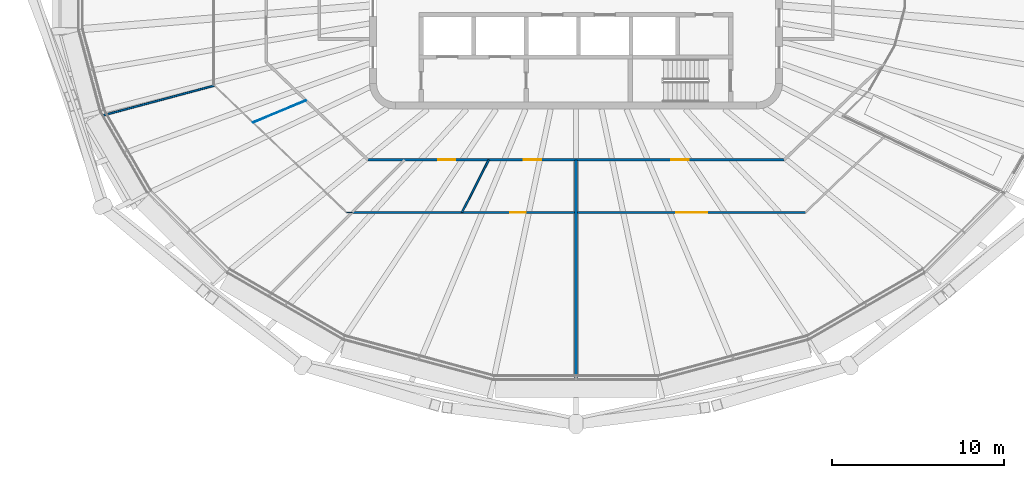
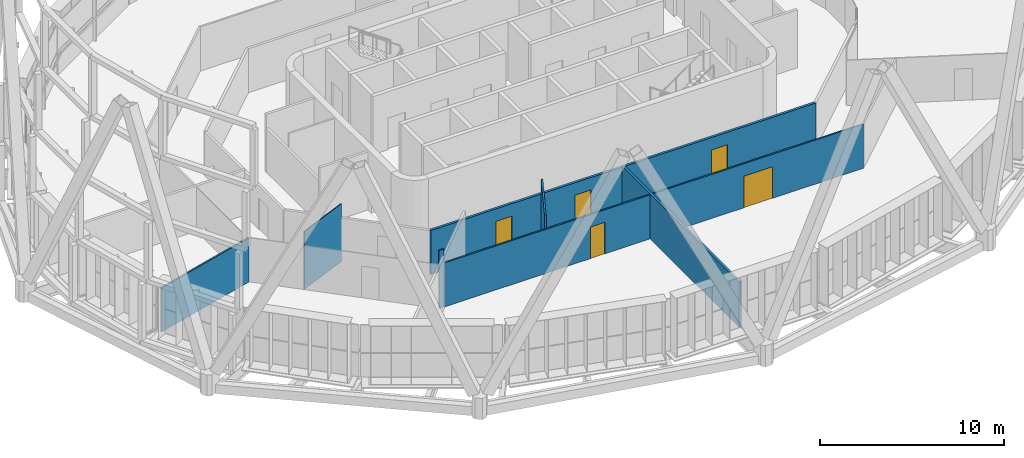
# One storey, part 11 of 22: 7 walls, 5 doors, 5 openings.
"""IFC4 building model written with IfcOpenShell, lengths in metres."""

import ifcopenshell
import ifcopenshell.guid

model = None  # the IFC model being written
_history = None  # IfcOwnerHistory: only IFC2X3 demands one
_inside = {}  # id of a spatial element -> (the spatial element, [elements in it])
_under = {}  # id of a project, library or spatial element -> (it, [spatial elements below it])
_declared = {}  # id of a project -> (the project, [libraries it declares])
_typed = {}  # id of a type object -> (the type object, [elements of that type])
_made_of = {}  # id of a material, layer set ... -> (it, [elements and type objects made of it])


def new_model(schema):
    """Start an empty IFC model of exactly this schema.

    Asked for "IFC4X3", IfcOpenShell would pick the latest addendum, in which some entities
    have other attributes; the version numbers below select the first issue.
    IFC2X3 requires an IfcOwnerHistory on every rooted entity: one is made here for all.
    """
    global model, _history
    if schema == "IFC4X3":
        model = ifcopenshell.file(schema_version=(4, 3, 0, 0))
    else:
        model = ifcopenshell.file(schema=schema)
    _inside.clear()
    _under.clear()
    _declared.clear()
    _typed.clear()
    _made_of.clear()
    _history = None
    if model.schema == "IFC2X3":
        org = make("IfcOrganization", Name="unknown")
        user = make(
            "IfcPersonAndOrganization",
            ThePerson=make("IfcPerson", FamilyName="unknown"),
            TheOrganization=org,
        )
        app = make(
            "IfcApplication",
            ApplicationDeveloper=org,
            Version="unknown",
            ApplicationFullName="unknown",
            ApplicationIdentifier="unknown",
        )
        _history = make(
            "IfcOwnerHistory",
            OwningUser=user,
            OwningApplication=app,
            ChangeAction="ADDED",
            CreationDate=0,
        )
    return model


def make(cls, **values):
    """One entity of the class cls with the attributes given. An attribute that is None is left unset."""
    return model.create_entity(
        cls, **{name: value for name, value in values.items() if value is not None}
    )


def rooted(cls, **values):
    """An entity with a GlobalId (a new one), such as an element, a storey or a relation."""
    return make(cls, GlobalId=ifcopenshell.guid.new(), OwnerHistory=_history, **values)


def si_unit(unit_type, name, prefix=None):
    """IfcSIUnit, for example si_unit("LENGTHUNIT", "METRE", prefix="MILLI")."""
    return make("IfcSIUnit", UnitType=unit_type, Prefix=prefix, Name=name)


def assignment(units):
    """IfcUnitAssignment: the units of a project."""
    return None if units is None else make("IfcUnitAssignment", Units=units)


def point(xyz):
    """IfcCartesianPoint."""
    return None if xyz is None else make("IfcCartesianPoint", Coordinates=xyz)


def direction(xyz):
    """IfcDirection."""
    return None if xyz is None else make("IfcDirection", DirectionRatios=xyz)


def frame(location, z_axis=None, x_axis=None):
    """IfcAxis2Placement3D, a coordinate frame: its origin and axes. An axis left out is left unset."""
    return make(
        "IfcAxis2Placement3D",
        Location=point(location),
        Axis=direction(z_axis),
        RefDirection=direction(x_axis),
    )


def frame_2d(location, x_axis=None):
    """IfcAxis2Placement2D, a coordinate frame in the plane: its origin and x axis."""
    return make(
        "IfcAxis2Placement2D", Location=point(location), RefDirection=direction(x_axis)
    )


def origin():
    """The frame at (0, 0, 0) with its axes left unset."""
    return frame((0.0, 0.0, 0.0))


def place(relative_to, where):
    """IfcLocalPlacement: puts the frame where relative to a parent placement (None: the world)."""
    return make(
        "IfcLocalPlacement", PlacementRelTo=relative_to, RelativePlacement=where
    )


def context(
    kind, dimensions, precision=None, world=None, true_north=None, identifier=None
):
    """IfcGeometricRepresentationContext, for example the 3D "Model" context."""
    return make(
        "IfcGeometricRepresentationContext",
        ContextIdentifier=identifier,
        ContextType=kind,
        CoordinateSpaceDimension=dimensions,
        Precision=precision,
        WorldCoordinateSystem=world,
        TrueNorth=true_north,
    )


def subcontext(parent, identifier, kind, view, scale=None):
    """IfcGeometricRepresentationSubContext, for example "Body" below "Model"."""
    return make(
        "IfcGeometricRepresentationSubContext",
        ContextIdentifier=identifier,
        ContextType=kind,
        ParentContext=parent,
        TargetScale=scale,
        TargetView=view,
    )


def project(units=None, contexts=None):
    """IfcProject with its units and contexts."""
    return rooted(
        "IfcProject",
        Name="project",
        RepresentationContexts=contexts,
        UnitsInContext=assignment(units),
    )


def spatial(cls, under=None, at=None, **own):
    """A site, building, storey or space (cls), placed at a placement, below another one or the project."""
    s = rooted(cls, ObjectPlacement=at, **own)
    if under is not None:
        _under.setdefault(under.id(), (under, []))[1].append(s)
    return s


def profile(cls, at=None, kind="AREA", **sizes):
    """A parametric profile (cls). Its sizes go by their IFC names, for example OverallWidth=200.0."""
    return make(cls, ProfileType=kind, Position=at, **sizes)


def rectangle(**sizes):
    """IfcRectangleProfileDef."""
    return profile("IfcRectangleProfileDef", **sizes)


def extrude(swept, where, along, depth):
    """IfcExtrudedAreaSolid: the profile swept, set in the frame where, extruded along a direction by depth."""
    return make(
        "IfcExtrudedAreaSolid",
        SweptArea=swept,
        Position=where,
        ExtrudedDirection=direction(along),
        Depth=depth,
    )


def shape(context_of_items, identifier, shape_type, items):
    """IfcShapeRepresentation: the items that make up one representation, for example the "Body"."""
    return make(
        "IfcShapeRepresentation",
        ContextOfItems=context_of_items,
        RepresentationIdentifier=identifier,
        RepresentationType=shape_type,
        Items=items,
    )


def material(Name=None, Category=None):
    """IfcMaterial."""
    return make("IfcMaterial", Name=Name, Category=Category)


def layer(
    of_material, thickness, ventilated=None, Name=None, Category=None, Priority=None
):
    """IfcMaterialLayer: one layer of a wall or slab, of a material (None: an air gap)."""
    return make(
        "IfcMaterialLayer",
        Material=of_material,
        LayerThickness=thickness,
        IsVentilated=ventilated,
        Name=Name,
        Category=Category,
        Priority=Priority,
    )


def layer_set(layers, Name=None):
    """IfcMaterialLayerSet."""
    return make("IfcMaterialLayerSet", MaterialLayers=layers, LayerSetName=Name)


def made_of(thing, what):
    """Note that an element or type object is made of a material, layer set ...; save() writes the relation."""
    if what is not None:
        _made_of.setdefault(what.id(), (what, []))[1].append(thing)
    return thing


def type_object(cls, material=None, **own):
    """A type object (cls), such as IfcWallType, which elements share."""
    return made_of(rooted(cls, **own), material)


def element(
    cls,
    number,
    at=None,
    inside=None,
    cuts=None,
    type_object=None,
    material=None,
    context=None,
    identifier="Body",
    shape_type=None,
    held_by="IfcProductDefinitionShape",
    body=None,
    shapes=None,
    **own,
):
    """One element of the class cls, such as IfcWall. Its Tag is "e" and its number.

    at: its placement. inside: the storey or other place that contains it. cuts: it is an
    opening in that element (IfcRelVoidsElement). A single representation is given by context,
    identifier, shape_type and body (its items); several are given by shapes. held_by: the class
    of the entity that holds the representations. save() writes the other relations.
    """
    e = rooted(cls, Tag="e%d" % number, ObjectPlacement=at, **own)
    if body is not None:
        shapes = [shape(context, identifier, shape_type, body)]
    if shapes is not None:
        e.Representation = make(held_by, Representations=shapes)
    if inside is not None:
        _inside.setdefault(inside.id(), (inside, []))[1].append(e)
    if cuts is not None:
        rooted(
            "IfcRelVoidsElement", RelatingBuildingElement=cuts, RelatedOpeningElement=e
        )
    if type_object is not None:
        _typed.setdefault(type_object.id(), (type_object, []))[1].append(e)
    return made_of(e, material)


def fill(opening, filler):
    """IfcRelFillsElement: the door or window that sits in an opening."""
    return rooted(
        "IfcRelFillsElement",
        RelatingOpeningElement=opening,
        RelatedBuildingElement=filler,
    )


def aggregate(whole, parts):
    """IfcRelAggregates: a whole, such as a stair, and the parts it consists of."""
    return rooted("IfcRelAggregates", RelatingObject=whole, RelatedObjects=parts)


def save(model, path):
    """Write the relations noted so far, then the file.

    IfcRelAggregates (storeys below a building ...), IfcRelContainedInSpatialStructure (elements
    in a storey), IfcRelDefinesByType, IfcRelAssociatesMaterial and IfcRelDeclares: one each for
    every whole, place, type object, material and project.
    """
    for whole, parts in _under.values():
        aggregate(whole, parts)
    for where, things in _inside.values():
        rooted(
            "IfcRelContainedInSpatialStructure",
            RelatedElements=things,
            RelatingStructure=where,
        )
    for kind, things in _typed.values():
        rooted("IfcRelDefinesByType", RelatedObjects=things, RelatingType=kind)
    for what, things in _made_of.values():
        rooted("IfcRelAssociatesMaterial", RelatedObjects=things, RelatingMaterial=what)
    for by, libraries in _declared.values():
        rooted("IfcRelDeclares", RelatingContext=by, RelatedDefinitions=libraries)
    model.write(path)


model = new_model("IFC4")

# Units and contexts
model_context = context("Model", 3, precision=1e-05, world=origin(), true_north=direction((0.0, 1.0)))
body_context = subcontext(model_context, "Body", "Model", "MODEL_VIEW")
ifc_project = project(units=[si_unit("LENGTHUNIT", "METRE"), si_unit("AREAUNIT", "SQUARE_METRE"), si_unit("VOLUMEUNIT", "CUBIC_METRE"), si_unit("PLANEANGLEUNIT", "RADIAN"), si_unit("MASSUNIT", "GRAM", prefix="KILO")], contexts=[model_context])

# Site, building, storey
site_placement = place(None, origin())
site = spatial("IfcSite", under=ifc_project, at=site_placement, CompositionType="ELEMENT")
building_placement = place(site_placement, origin())
building = spatial("IfcBuilding", under=site, at=building_placement, Name="Sahrelin Media Tower", CompositionType="ELEMENT")
storey_placement = place(building_placement, frame((0.0, 0.0, 283.0)))
storey = spatial("IfcBuildingStorey", under=building, at=storey_placement, Name="L62", CompositionType="ELEMENT", Elevation=283.0)

# Wall, openings, doors
ifc_material_1 = material(Name="Fire-rated gypsum board partition")
ifc_layer_1 = layer(ifc_material_1, 0.14990234375)
ifc_layer_set_1 = layer_set([ifc_layer_1], Name="Fire-rated partition 150")
wall_type_1 = type_object("IfcWallType", Name="Fire-rated partition 150", PredefinedType="PARTITIONING", material=ifc_layer_set_1)
wall_1_placement = place(storey_placement, frame((-12.094970703125, -9.948974609375, 0.0), z_axis=(0.0, 0.0, 1.0), x_axis=(1.0, 0.0, 0.0)))
wall_1 = element("IfcWall", 1, at=wall_1_placement, inside=storey, type_object=wall_type_1, Name="Wall", PredefinedType="PARTITIONING", context=body_context, shape_type="SweptSolid", body=[
    extrude(rectangle(XDim=24.18994140625, YDim=0.14990234375, at=frame_2d((12.094970703125, 0.0))), origin(), (0.0, 0.0, 1.0), 2.927001953125),
])
opening_1_placement = place(wall_1_placement, frame((17.642578125, 0.0, 0.0)))
opening_1 = element("IfcOpeningElement", 2, at=opening_1_placement, cuts=wall_1, Name="Opening L62-D16", PredefinedType="OPENING", context=body_context, shape_type="SweptSolid", body=[
    extrude(rectangle(XDim=1.0, YDim=2.10009765625, at=frame_2d((0.5, 1.050048828125))), frame((0.0, 0.074951171875, 0.0), z_axis=(0.0, -1.0, 0.0), x_axis=(1.0, 0.0, 0.0)), (0.0, 0.0, 1.0), 0.14990234375),
])
opening_2_placement = place(wall_1_placement, frame((4.0859375, 0.0, 0.0)))
opening_2 = element("IfcOpeningElement", 3, at=opening_2_placement, cuts=wall_1, Name="Opening L62-D30", PredefinedType="OPENING", context=body_context, shape_type="SweptSolid", body=[
    extrude(rectangle(XDim=1.0, YDim=2.10009765625, at=frame_2d((0.5, 1.050048828125))), frame((0.0, 0.074951171875, 0.0), z_axis=(0.0, -1.0, 0.0), x_axis=(1.0, 0.0, 0.0)), (0.0, 0.0, 1.0), 0.14990234375),
])
opening_3_placement = place(wall_1_placement, frame((9.060546875, 0.0, 0.0)))
opening_3 = element("IfcOpeningElement", 4, at=opening_3_placement, cuts=wall_1, Name="Opening L62-D31", PredefinedType="OPENING", context=body_context, shape_type="SweptSolid", body=[
    extrude(rectangle(XDim=1.0, YDim=2.10009765625, at=frame_2d((0.5, 1.050048828125))), frame((0.0, 0.074951171875, 0.0), z_axis=(0.0, -1.0, 0.0), x_axis=(1.0, 0.0, 0.0)), (0.0, 0.0, 1.0), 0.14990234375),
])
ifc_material_2 = material(Name="Steel fire door leaf", Category="steel")
door_type_1 = type_object("IfcDoorType", Name="Fire door 1000 x 2100 EI 60", OperationType="NOTDEFINED", PredefinedType="DOOR", material=ifc_material_2)
door_1_placement = place(opening_1_placement, origin())
door_1 = element("IfcDoor", 5, at=door_1_placement, inside=storey, type_object=door_type_1, Name="Fire door", OperationType="SINGLE_SWING_RIGHT", OverallHeight=2.10009765625, OverallWidth=1.0, PredefinedType="DOOR", context=body_context, shape_type="SweptSolid", body=[
    extrude(rectangle(XDim=1.0, YDim=2.10009765625, at=frame_2d((0.5, 1.050048828125))), frame((0.0, 0.02490234375, 0.0), z_axis=(0.0, -1.0, 0.0), x_axis=(1.0, 0.0, 0.0)), (0.0, 0.0, 1.0), 0.050048828125),
])
fill(opening_1, door_1)
door_2_placement = place(opening_2_placement, origin())
door_2 = element("IfcDoor", 6, at=door_2_placement, inside=storey, type_object=door_type_1, Name="Fire door", OperationType="SINGLE_SWING_RIGHT", OverallHeight=2.10009765625, OverallWidth=1.0, PredefinedType="DOOR", context=body_context, shape_type="SweptSolid", body=[
    extrude(rectangle(XDim=1.0, YDim=2.10009765625, at=frame_2d((0.5, 1.050048828125))), frame((0.0, 0.02490234375, 0.0), z_axis=(0.0, -1.0, 0.0), x_axis=(1.0, 0.0, 0.0)), (0.0, 0.0, 1.0), 0.050048828125),
])
fill(opening_2, door_2)
door_3_placement = place(opening_3_placement, origin())
door_3 = element("IfcDoor", 7, at=door_3_placement, inside=storey, type_object=door_type_1, Name="Fire door", OperationType="SINGLE_SWING_RIGHT", OverallHeight=2.10009765625, OverallWidth=1.0, PredefinedType="DOOR", context=body_context, shape_type="SweptSolid", body=[
    extrude(rectangle(XDim=1.0, YDim=2.10009765625, at=frame_2d((0.5, 1.050048828125))), frame((0.0, 0.02490234375, 0.0), z_axis=(0.0, -1.0, 0.0), x_axis=(1.0, 0.0, 0.0)), (0.0, 0.0, 1.0), 0.050048828125),
])
fill(opening_3, door_3)

# Walls
wall_2_placement = place(storey_placement, frame((0.0, -22.738037109375, 0.0), z_axis=(0.0, 0.0, 1.0), x_axis=(0.0, 1.0, 0.0)))
element("IfcWall", 8, at=wall_2_placement, inside=storey, type_object=wall_type_1, Name="Wall", PredefinedType="PARTITIONING", context=body_context, shape_type="SweptSolid", body=[
    extrude(rectangle(XDim=12.7890625, YDim=0.14990234375, at=frame_2d((6.39453125, 0.0))), origin(), (0.0, 0.0, 1.0), 2.9951171875),
])
ifc_material_3 = material(Name="Clear glass", Category="glass")
ifc_layer_2 = layer(ifc_material_3, 0.050048828125)
ifc_layer_set_2 = layer_set([ifc_layer_2], Name="Glazed partition 50")
wall_type_2 = type_object("IfcWallType", Name="Glazed partition 50", PredefinedType="PARTITIONING", material=ifc_layer_set_2)
wall_3_placement = place(storey_placement, frame((-13.325927734375, -13.009033203125, 0.0), z_axis=(0.0, 0.0, 1.0), x_axis=(1.0, 0.0, 0.0)))
element("IfcWall", 9, at=wall_3_placement, inside=storey, type_object=wall_type_2, Name="Wall", PredefinedType="PARTITIONING", context=body_context, shape_type="SweptSolid", body=[
    extrude(rectangle(XDim=0.31689453125, YDim=0.050048828125, at=frame_2d((0.158447265625, 0.0))), origin(), (0.0, 0.0, 1.0), 3.85009765625),
])
wall_4_placement = place(storey_placement, frame((-18.77392578125, -7.777099609375, 0.0), z_axis=(0.0, 0.0, 1.0), x_axis=(0.92379319059, 0.382891813727, 0.0)))
element("IfcWall", 10, at=wall_4_placement, inside=storey, type_object=wall_type_2, Name="Wall", PredefinedType="PARTITIONING", context=body_context, shape_type="SweptSolid", body=[
    extrude(rectangle(XDim=3.340576171875, YDim=0.050048828125, at=frame_2d((1.67041015625, 0.0))), origin(), (0.0, 0.0, 1.0), 3.85009765625),
])

# Wall, openings, doors
ifc_material_4 = material(Name="Gypsum board partition")
ifc_layer_3 = layer(ifc_material_4, 0.10009765625)
ifc_layer_set_3 = layer_set([ifc_layer_3], Name="Partition 100")
wall_type_3 = type_object("IfcWallType", Name="Partition 100", PredefinedType="PARTITIONING", material=ifc_layer_set_3)
wall_5_placement = place(storey_placement, frame((-13.009033203125, -13.009033203125, 0.0), z_axis=(0.0, 0.0, 1.0), x_axis=(1.0, 0.0, 0.0)))
wall_5 = element("IfcWall", 11, at=wall_5_placement, inside=storey, type_object=wall_type_3, Name="Wall", PredefinedType="PARTITIONING", context=body_context, shape_type="SweptSolid", body=[
    extrude(rectangle(XDim=26.3349609375, YDim=0.10009765625, at=frame_2d((13.16748046875, 0.0))), origin(), (0.0, 0.0, 1.0), 2.927001953125),
])
opening_4_placement = place(wall_5_placement, frame((18.822021484375, 0.0, 0.0)))
opening_4 = element("IfcOpeningElement", 12, at=opening_4_placement, cuts=wall_5, Name="Opening L62-D17", PredefinedType="OPENING", context=body_context, shape_type="SweptSolid", body=[
    extrude(rectangle(XDim=1.800048828125, YDim=2.10009765625, at=frame_2d((0.89990234375, 1.050048828125))), frame((0.0, 0.050048828125, 0.0), z_axis=(0.0, -1.0, 0.0), x_axis=(1.0, 0.0, 0.0)), (0.0, 0.0, 1.0), 0.10009765625),
])
opening_5_placement = place(wall_5_placement, frame((9.194580078125, 0.0, 0.0)))
opening_5 = element("IfcOpeningElement", 13, at=opening_5_placement, cuts=wall_5, Name="Opening L62-D32", PredefinedType="OPENING", context=body_context, shape_type="SweptSolid", body=[
    extrude(rectangle(XDim=0.89990234375, YDim=2.10009765625, at=frame_2d((0.449951171875, 1.050048828125))), frame((0.0, 0.050048828125, 0.0), z_axis=(0.0, -1.0, 0.0), x_axis=(1.0, 0.0, 0.0)), (0.0, 0.0, 1.0), 0.10009765625),
])
ifc_material_5 = material(Name="Timber door leaf", Category="wood")
door_type_2 = type_object("IfcDoorType", Name="Double door 1800 x 2100", OperationType="DOUBLE_DOOR_SINGLE_SWING", PredefinedType="DOOR", material=ifc_material_5)
door_4_placement = place(opening_4_placement, origin())
door_4 = element("IfcDoor", 14, at=door_4_placement, inside=storey, type_object=door_type_2, Name="Double door", OperationType="DOUBLE_DOOR_SINGLE_SWING", OverallHeight=2.10009765625, OverallWidth=1.800048828125, PredefinedType="DOOR", context=body_context, shape_type="SweptSolid", body=[
    extrude(rectangle(XDim=1.800048828125, YDim=2.10009765625, at=frame_2d((0.89990234375, 1.050048828125))), frame((0.0, 0.02490234375, 0.0), z_axis=(0.0, -1.0, 0.0), x_axis=(1.0, 0.0, 0.0)), (0.0, 0.0, 1.0), 0.050048828125),
])
fill(opening_4, door_4)
door_type_3 = type_object("IfcDoorType", Name="Single door 900 x 2100", OperationType="NOTDEFINED", PredefinedType="DOOR", material=ifc_material_5)
door_5_placement = place(opening_5_placement, origin())
door_5 = element("IfcDoor", 15, at=door_5_placement, inside=storey, type_object=door_type_3, Name="Single door", OperationType="SINGLE_SWING_RIGHT", OverallHeight=2.10009765625, OverallWidth=0.89990234375, PredefinedType="DOOR", context=body_context, shape_type="SweptSolid", body=[
    extrude(rectangle(XDim=0.89990234375, YDim=2.10009765625, at=frame_2d((0.449951171875, 1.050048828125))), frame((0.0, 0.02490234375, 0.0), z_axis=(0.0, -1.0, 0.0), x_axis=(1.0, 0.0, 0.0)), (0.0, 0.0, 1.0), 0.050048828125),
])
fill(opening_5, door_5)

# Walls
wall_6_placement = place(storey_placement, frame((-27.50390625, -7.3701171875, 0.0), z_axis=(0.0, 0.0, 1.0), x_axis=(0.965918386672, 0.258846808534, 0.0)))
element("IfcWall", 16, at=wall_6_placement, inside=storey, type_object=wall_type_3, Name="Wall", PredefinedType="PARTITIONING", context=body_context, shape_type="SweptSolid", body=[
    extrude(rectangle(XDim=6.72314453125, YDim=0.10009765625, at=frame_2d((3.361572265625, 0.0))), origin(), (0.0, 0.0, 1.0), 2.927001953125),
])
wall_7_placement = place(storey_placement, frame((-6.6279296875, -13.009033203125, 0.0), z_axis=(0.0, 0.0, 1.0), x_axis=(0.453911937029, 0.891046549526, 0.0)))
element("IfcWall", 17, at=wall_7_placement, inside=storey, type_object=wall_type_3, Name="Wall", PredefinedType="PARTITIONING", context=body_context, shape_type="SweptSolid", body=[
    extrude(rectangle(XDim=3.434326171875, YDim=0.10009765625, at=frame_2d((1.71728515625, 0.0))), origin(), (0.0, 0.0, 1.0), 3.85009765625),
])

save(model, "model.ifc")
